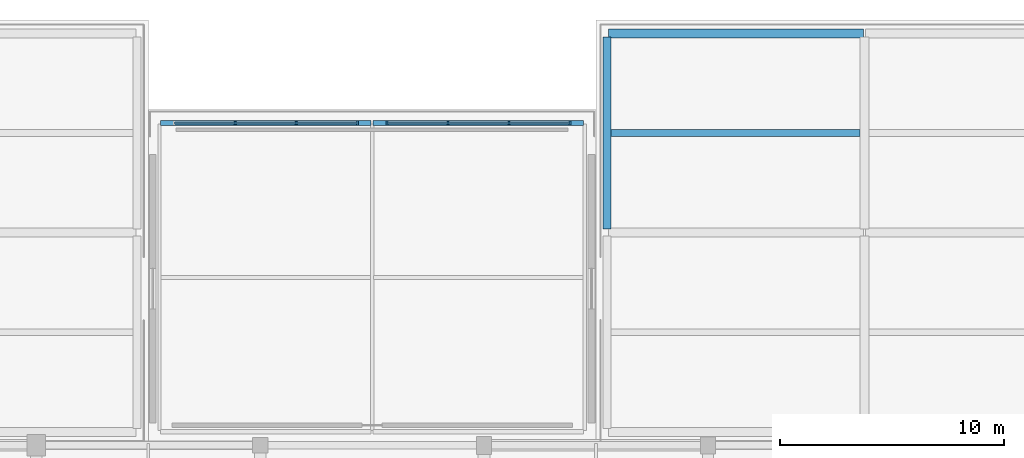
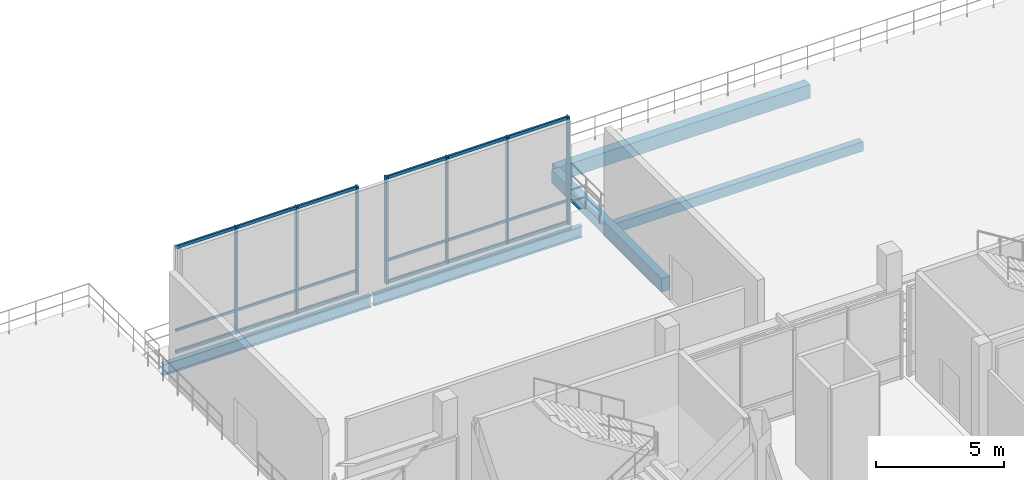
# One storey, part 54 of 111: 13 members, 5 beams, 2 elements without a shape of their own.
"""IFC4 building model written with IfcOpenShell, lengths in metres."""

from ifc_helpers import new_model, si_unit, direction, frame, origin, origin_2d, place, context, subcontext, project, spatial, rectangle, i_section, extrude, material, material_profile, profile_set, type_object, element, aggregate, save


model = new_model("IFC4")

# Units and contexts
model_context = context("Model", 3, precision=1e-05, world=origin(), true_north=direction((0.0, 1.0)))
body_context = subcontext(model_context, "Body", "Model", "MODEL_VIEW")
ifc_project = project(units=[si_unit("LENGTHUNIT", "METRE"), si_unit("AREAUNIT", "SQUARE_METRE"), si_unit("VOLUMEUNIT", "CUBIC_METRE"), si_unit("PLANEANGLEUNIT", "RADIAN"), si_unit("MASSUNIT", "GRAM", prefix="KILO")], contexts=[model_context])

# Site, building, storey
site_placement = place(None, origin())
site = spatial("IfcSite", under=ifc_project, at=site_placement, CompositionType="ELEMENT")
building_placement = place(site_placement, origin())
building = spatial("IfcBuilding", under=site, at=building_placement, Name="Candeia Ridge Stadium", CompositionType="ELEMENT")
storey_placement = place(building_placement, frame((0.0, 0.0, 16.199951171875)))
storey = spatial("IfcBuildingStorey", under=building, at=storey_placement, Name="L03", CompositionType="ELEMENT", Elevation=16.199951171875)

# Curtain wall, member
ifc_material_1 = material(Name="Aluminium Anodized Warm Bronze", Category="aluminium")
curtain_wall_type = type_object("IfcCurtainWallType", Name="Cardinal Entrance Gate Tall Glazed Curtain Wall", PredefinedType="NOTDEFINED", material=ifc_material_1)
curtain_wall_1_placement = place(storey_placement, origin())
curtain_wall_1 = element("IfcCurtainWall", 1, at=curtain_wall_1_placement, inside=storey, type_object=curtain_wall_type, Name="Unitised curtain wall CW-WNG-L03-157", PredefinedType="NOTDEFINED")
ifc_material_profile_1 = material_profile(ifc_material_1, rectangle(XDim=0.090087890625, YDim=0.179931640625, at=origin_2d()), Name="CWM-90x180", Category="aluminium")
ifc_profile_set_1 = profile_set([ifc_material_profile_1], Name="Aluminium Anodized Warm Bronze")
member_type_1 = type_object("IfcMemberType", Name="Curtain Wall Primary Mullion 90x180", PredefinedType="MULLION", material=ifc_profile_set_1)
member_1_placement = place(storey_placement, frame((105.340087890625, 161.39990234375, 0.0), z_axis=(0.0, 0.0, 1.0), x_axis=(1.0, 0.0, 0.0)))
member_1 = element("IfcMember", 2, at=member_1_placement, type_object=member_type_1, Name="Curtain wall mullion CW-WNG-L03-157-M3", PredefinedType="MULLION", context=body_context, shape_type="SweptSolid", body=[
    extrude(rectangle(XDim=0.090087890625, YDim=0.179931640625, at=origin_2d()), origin(), (0.0, 0.0, 1.0), 5.1201171875),
])

# Curtain wall, members
curtain_wall_2_placement = place(storey_placement, origin())
curtain_wall_2 = element("IfcCurtainWall", 3, at=curtain_wall_2_placement, inside=storey, type_object=curtain_wall_type, Name="Unitised curtain wall CW-WNG-L03-158", PredefinedType="NOTDEFINED")
member_2_placement = place(storey_placement, frame((106.659912109375, 161.39990234375, 0.0), z_axis=(0.0, 0.0, 1.0), x_axis=(1.0, 0.0, 0.0)))
member_2 = element("IfcMember", 4, at=member_2_placement, type_object=member_type_1, Name="Curtain wall mullion CW-WNG-L03-158-M0", PredefinedType="MULLION", context=body_context, shape_type="SweptSolid", body=[
    extrude(rectangle(XDim=0.090087890625, YDim=0.179931640625, at=origin_2d()), origin(), (0.0, 0.0, 1.0), 5.1201171875),
])
member_3_placement = place(storey_placement, frame((114.840087890625, 161.39990234375, 0.0), z_axis=(0.0, 0.0, 1.0), x_axis=(1.0, 0.0, 0.0)))
member_3 = element("IfcMember", 5, at=member_3_placement, type_object=member_type_1, Name="Curtain wall mullion CW-WNG-L03-158-M3", PredefinedType="MULLION", context=body_context, shape_type="SweptSolid", body=[
    extrude(rectangle(XDim=0.090087890625, YDim=0.179931640625, at=origin_2d()), origin(), (0.0, 0.0, 1.0), 5.1201171875),
])

# Member
ifc_material_profile_2 = material_profile(ifc_material_1, rectangle(XDim=0.074951171875, YDim=0.14990234375, at=origin_2d()), Name="CWM-75x150", Category="aluminium")
ifc_profile_set_2 = profile_set([ifc_material_profile_2], Name="Aluminium Anodized Warm Bronze")
member_type_2 = type_object("IfcMemberType", Name="Curtain Wall Secondary Mullion 75x150", PredefinedType="MULLION", material=ifc_profile_set_2)
member_4_placement = place(storey_placement, frame((99.88671875, 161.39990234375, 0.0), z_axis=(0.0, 0.0, 1.0), x_axis=(1.0, 0.0, 0.0)))
member_4 = element("IfcMember", 6, at=member_4_placement, type_object=member_type_2, Name="Curtain wall mullion CW-WNG-L03-157-M1", PredefinedType="MULLION", context=body_context, shape_type="SweptSolid", body=[
    extrude(rectangle(XDim=0.074951171875, YDim=0.14990234375, at=origin_2d()), origin(), (0.0, 0.0, 1.0), 5.1201171875),
])

member_5_placement = place(storey_placement, frame((102.61328125, 161.39990234375, 0.0), z_axis=(0.0, 0.0, 1.0), x_axis=(1.0, 0.0, 0.0)))
member_5 = element("IfcMember", 7, at=member_5_placement, type_object=member_type_2, Name="Curtain wall mullion CW-WNG-L03-157-M2", PredefinedType="MULLION", context=body_context, shape_type="SweptSolid", body=[
    extrude(rectangle(XDim=0.074951171875, YDim=0.14990234375, at=origin_2d()), origin(), (0.0, 0.0, 1.0), 5.1201171875),
])

member_6_placement = place(storey_placement, frame((109.38671875, 161.39990234375, 0.0), z_axis=(0.0, 0.0, 1.0), x_axis=(1.0, 0.0, 0.0)))
member_6 = element("IfcMember", 8, at=member_6_placement, type_object=member_type_2, Name="Curtain wall mullion CW-WNG-L03-158-M1", PredefinedType="MULLION", context=body_context, shape_type="SweptSolid", body=[
    extrude(rectangle(XDim=0.074951171875, YDim=0.14990234375, at=origin_2d()), origin(), (0.0, 0.0, 1.0), 5.1201171875),
])

member_7_placement = place(storey_placement, frame((112.11328125, 161.39990234375, 0.0), z_axis=(0.0, 0.0, 1.0), x_axis=(1.0, 0.0, 0.0)))
member_7 = element("IfcMember", 9, at=member_7_placement, type_object=member_type_2, Name="Curtain wall mullion CW-WNG-L03-158-M2", PredefinedType="MULLION", context=body_context, shape_type="SweptSolid", body=[
    extrude(rectangle(XDim=0.074951171875, YDim=0.14990234375, at=origin_2d()), origin(), (0.0, 0.0, 1.0), 5.1201171875),
])

ifc_material_profile_3 = material_profile(ifc_material_1, rectangle(XDim=0.074951171875, YDim=0.110107421875, at=origin_2d()), Name="CWT-75x110", Category="aluminium")
ifc_profile_set_3 = profile_set([ifc_material_profile_3], Name="Aluminium Anodized Warm Bronze")
member_type_3 = type_object("IfcMemberType", Name="Curtain Wall Secondary Transom 75x110", PredefinedType="USERDEFINED", material=ifc_profile_set_3)
member_8_placement = place(storey_placement, frame((97.159912109375, 161.39990234375, 1.10009765625), z_axis=(1.0, 0.0, 0.0), x_axis=(0.0, 1.0, 0.0)))
member_8 = element("IfcMember", 10, at=member_8_placement, type_object=member_type_3, Name="Curtain wall transom CW-WNG-L03-157-T1", ObjectType="TRANSOM", PredefinedType="USERDEFINED", context=body_context, shape_type="SweptSolid", body=[
    extrude(rectangle(XDim=0.074951171875, YDim=0.110107421875, at=origin_2d()), origin(), (0.0, 0.0, 1.0), 8.18017578125),
])

member_9_placement = place(storey_placement, frame((106.659912109375, 161.39990234375, 1.10009765625), z_axis=(1.0, 0.0, 0.0), x_axis=(0.0, 1.0, 0.0)))
member_9 = element("IfcMember", 11, at=member_9_placement, type_object=member_type_3, Name="Curtain wall transom CW-WNG-L03-158-T1", ObjectType="TRANSOM", PredefinedType="USERDEFINED", context=body_context, shape_type="SweptSolid", body=[
    extrude(rectangle(XDim=0.074951171875, YDim=0.110107421875, at=origin_2d()), origin(), (0.0, 0.0, 1.0), 8.18017578125),
])

ifc_material_profile_4 = material_profile(ifc_material_1, rectangle(XDim=0.090087890625, YDim=0.139892578125, at=origin_2d()), Name="CWT-90x140", Category="aluminium")
ifc_profile_set_4 = profile_set([ifc_material_profile_4], Name="Aluminium Anodized Warm Bronze")
member_type_4 = type_object("IfcMemberType", Name="Curtain Wall Transom 90x140", PredefinedType="USERDEFINED", material=ifc_profile_set_4)
member_10_placement = place(storey_placement, frame((97.159912109375, 161.39990234375, 0.070068359375), z_axis=(1.0, 0.0, 0.0), x_axis=(0.0, 1.0, 0.0)))
member_10 = element("IfcMember", 12, at=member_10_placement, type_object=member_type_4, Name="Curtain wall transom CW-WNG-L03-157-T0", ObjectType="TRANSOM", PredefinedType="USERDEFINED", context=body_context, shape_type="SweptSolid", body=[
    extrude(rectangle(XDim=0.090087890625, YDim=0.139892578125, at=origin_2d()), origin(), (0.0, 0.0, 1.0), 8.18017578125),
])

member_11_placement = place(storey_placement, frame((97.159912109375, 161.39990234375, 5.050048828125), z_axis=(1.0, 0.0, 0.0), x_axis=(0.0, 1.0, 0.0)))
member_11 = element("IfcMember", 13, at=member_11_placement, type_object=member_type_4, Name="Curtain wall transom CW-WNG-L03-157-T2", ObjectType="TRANSOM", PredefinedType="USERDEFINED", context=body_context, shape_type="SweptSolid", body=[
    extrude(rectangle(XDim=0.090087890625, YDim=0.139892578125, at=origin_2d()), origin(), (0.0, 0.0, 1.0), 8.18017578125),
])

aggregate(curtain_wall_1, [member_4, member_5, member_1, member_10, member_8, member_11])

member_12_placement = place(storey_placement, frame((106.659912109375, 161.39990234375, 0.070068359375), z_axis=(1.0, 0.0, 0.0), x_axis=(0.0, 1.0, 0.0)))
member_12 = element("IfcMember", 14, at=member_12_placement, type_object=member_type_4, Name="Curtain wall transom CW-WNG-L03-158-T0", ObjectType="TRANSOM", PredefinedType="USERDEFINED", context=body_context, shape_type="SweptSolid", body=[
    extrude(rectangle(XDim=0.090087890625, YDim=0.139892578125, at=origin_2d()), origin(), (0.0, 0.0, 1.0), 8.18017578125),
])

member_13_placement = place(storey_placement, frame((106.659912109375, 161.39990234375, 5.050048828125), z_axis=(1.0, 0.0, 0.0), x_axis=(0.0, 1.0, 0.0)))
member_13 = element("IfcMember", 15, at=member_13_placement, type_object=member_type_4, Name="Curtain wall transom CW-WNG-L03-158-T2", ObjectType="TRANSOM", PredefinedType="USERDEFINED", context=body_context, shape_type="SweptSolid", body=[
    extrude(rectangle(XDim=0.090087890625, YDim=0.139892578125, at=origin_2d()), origin(), (0.0, 0.0, 1.0), 8.18017578125),
])

aggregate(curtain_wall_2, [member_2, member_6, member_7, member_3, member_12, member_9, member_13])

# Beams
ifc_material_2 = material(Name="Concrete C40/50", Category="concrete")
ifc_material_profile_5 = material_profile(ifc_material_2, rectangle(XDim=0.300048828125, YDim=0.449951171875, at=origin_2d()), Name="RC300x450", Category="concrete")
ifc_profile_set_5 = profile_set([ifc_material_profile_5], Name="Concrete C40/50")
beam_type_1 = type_object("IfcBeamType", Name="Floor Joist RC300x450", PredefinedType="JOIST", material=ifc_profile_set_5)
beam_1_placement = place(storey_placement, frame((116.674560546875, 160.949951171875, -0.5048828125), z_axis=(1.0, 0.0, 0.0), x_axis=(0.0, 1.0, 0.0)))
element("IfcBeam", 16, at=beam_1_placement, inside=storey, type_object=beam_type_1, Name="Wing secondary joist BM-L03-1911", PredefinedType="JOIST", context=body_context, shape_type="SweptSolid", body=[
    extrude(rectangle(XDim=0.300048828125, YDim=0.449951171875, at=origin_2d()), origin(), (0.0, 0.0, 1.0), 11.1259765625),
])
ifc_material_3 = material(Name="Steel ASTM A572 Grade 50", Category="steel")
ifc_material_profile_6 = material_profile(ifc_material_3, i_section(OverallWidth=0.208984375, OverallDepth=0.532958984375, WebThickness=0.01025390625, FlangeThickness=0.015625, FilletRadius=0.013916015625, at=origin_2d()), Name="W530x92", Category="steel")
ifc_profile_set_6 = profile_set([ifc_material_profile_6], Name="Steel ASTM A572 Grade 50")
beam_type_2 = type_object("IfcBeamType", Name="Gate Portal Girder W530x92", PredefinedType="BEAM", material=ifc_profile_set_6)
for number, where, z_axis, x_axis, name in (
    (17, (96.550048828125, 161.39990234375, -0.54638671875), (1.0, 0.0, 0.0), (0.0, 1.0, 0.0), "Structural girder BM-L03-2380"),
    (18, (106.050048828125, 161.39990234375, -0.54638671875), (1.0, 0.0, 0.0), (0.0, 1.0, 0.0), "Structural girder BM-L03-2383"),
):
    element("IfcBeam", number, at=place(storey_placement, frame(where, z_axis=z_axis, x_axis=x_axis)), inside=storey, type_object=beam_type_2, Name=name, PredefinedType="BEAM", context=body_context, shape_type="SweptSolid", body=[
        extrude(i_section(OverallWidth=0.208984375, OverallDepth=0.532958984375, WebThickness=0.01025390625, FlangeThickness=0.015625, FilletRadius=0.013916015625, at=origin_2d()), origin(), (0.0, 0.0, 1.0), 9.39990234375),
    ])
ifc_material_profile_7 = material_profile(ifc_material_2, rectangle(XDim=0.35009765625, YDim=0.64990234375, at=origin_2d()), Name="RC350x650", Category="concrete")
ifc_profile_set_7 = profile_set([ifc_material_profile_7], Name="Concrete C40/50")
beam_type_3 = type_object("IfcBeamType", Name="Spandrel Beam RC350x650", PredefinedType="SPANDREL", material=ifc_profile_set_7)
beam_2_placement = place(storey_placement, frame((116.5, 156.659912109375, -0.60498046875), z_axis=(0.0, 1.0, 0.0), x_axis=(-1.0, 0.0, 0.0)))
element("IfcBeam", 19, at=beam_2_placement, inside=storey, type_object=beam_type_3, Name="Structural girder BM-L03-1895", PredefinedType="SPANDREL", context=body_context, shape_type="SweptSolid", body=[
    extrude(rectangle(XDim=0.35009765625, YDim=0.64990234375, at=origin_2d()), origin(), (0.0, 0.0, 1.0), 8.580078125),
])
ifc_material_profile_8 = material_profile(ifc_material_2, rectangle(XDim=0.39990234375, YDim=0.64990234375, at=origin_2d()), Name="RC400x650", Category="concrete")
ifc_profile_set_8 = profile_set([ifc_material_profile_8], Name="Concrete C40/50")
beam_type_4 = type_object("IfcBeamType", Name="Wing Primary Girder RC400x650", PredefinedType="BEAM", material=ifc_profile_set_8)
beam_3_placement = place(storey_placement, frame((116.550048828125, 165.39990234375, -0.60498046875), z_axis=(1.0, 0.0, 0.0), x_axis=(0.0, 1.0, 0.0)))
element("IfcBeam", 20, at=beam_3_placement, inside=storey, type_object=beam_type_4, Name="Structural girder BM-L03-1912", PredefinedType="BEAM", context=body_context, shape_type="SweptSolid", body=[
    extrude(rectangle(XDim=0.39990234375, YDim=0.64990234375, at=origin_2d()), origin(), (0.0, 0.0, 1.0), 11.39990234375),
])

save(model, "model.ifc")
